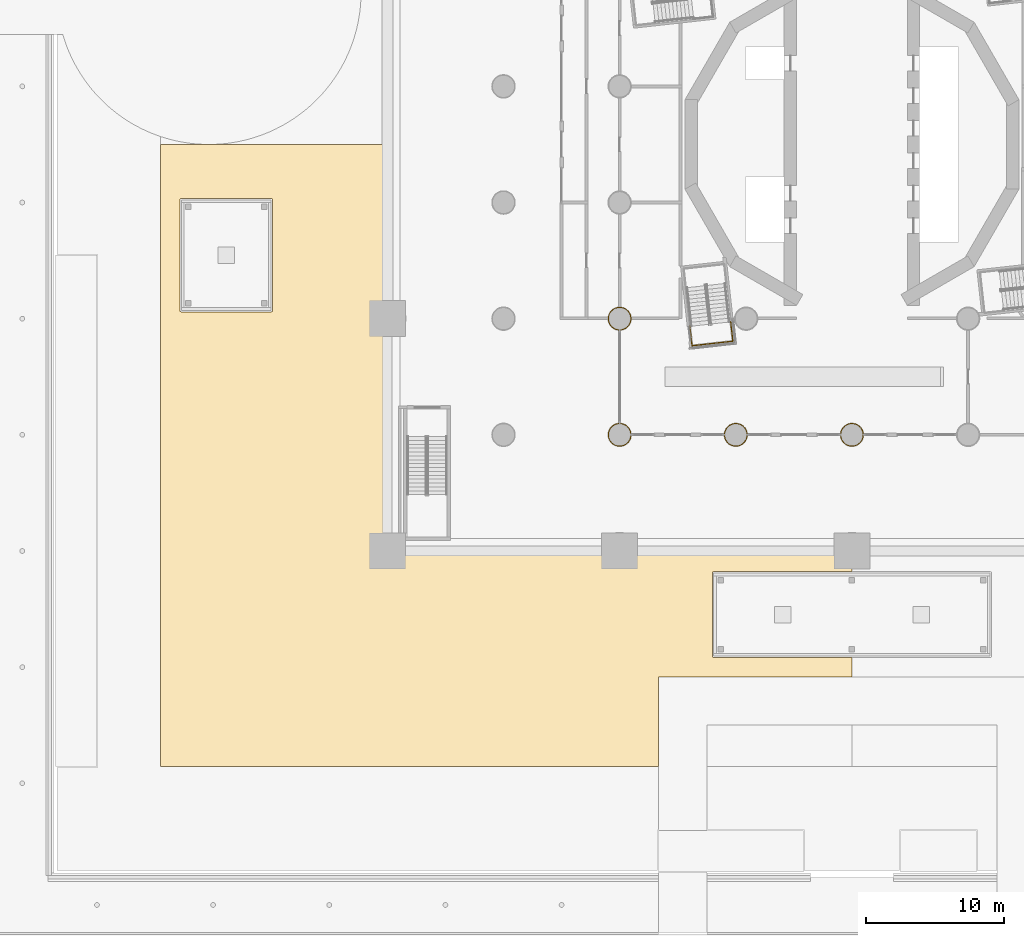
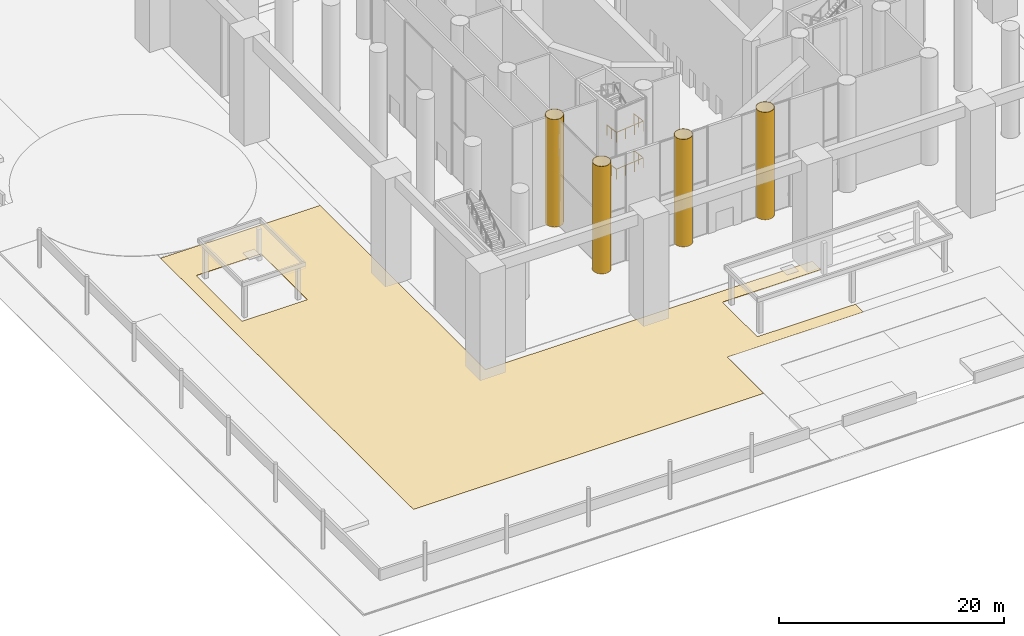
# One storey, part 28 of 52: 5 coverings, 2 railings.
"""IFC4 building model written with IfcOpenShell, lengths in metres."""

from ifc_helpers import new_model, si_unit, direction, frame, origin, origin_2d, place, context, subcontext, project, spatial, polyline, circle, outline, extrude, material, layer, layer_set, type_object, element, save


model = new_model("IFC4")

# Units and contexts
model_context = context("Model", 3, precision=1e-05, world=origin(), true_north=direction((0.0, 1.0)))
body_context = subcontext(model_context, "Body", "Model", "MODEL_VIEW")
ifc_project = project(units=[si_unit("LENGTHUNIT", "METRE"), si_unit("AREAUNIT", "SQUARE_METRE"), si_unit("VOLUMEUNIT", "CUBIC_METRE"), si_unit("PLANEANGLEUNIT", "RADIAN"), si_unit("MASSUNIT", "GRAM", prefix="KILO")], contexts=[model_context])

# Site, building, storey
site_placement = place(None, origin())
site = spatial("IfcSite", under=ifc_project, at=site_placement, CompositionType="ELEMENT")
building_placement = place(site_placement, origin())
building = spatial("IfcBuilding", under=site, at=building_placement, Name="Cantera Rosa Tower", CompositionType="ELEMENT")
storey_placement = place(building_placement, origin())
storey = spatial("IfcBuildingStorey", under=building, at=storey_placement, Name="L00", CompositionType="ELEMENT", Elevation=0.0)

# Coverings
ifc_material_1 = material(Name="Plaster")
ifc_layer_1 = layer(ifc_material_1, 0.030029296875)
ifc_layer_set_1 = layer_set([ifc_layer_1], Name="Column casing 30")
covering_type_1 = type_object("IfcCoveringType", Name="Column casing 30", PredefinedType="CLADDING", material=ifc_layer_set_1)
covering_1_placement = place(storey_placement, origin())
element("IfcCovering", 1, at=covering_1_placement, inside=storey, type_object=covering_type_1, Name="Column casing L00-001", PredefinedType="CLADDING", context=body_context, shape_type="SweptSolid", body=[
    extrude(outline(polyline([(-15.97412109375, -21.081298828125), (-15.969970703125, -21.0), (-15.97412109375, -20.918701171875), (-15.98583984375, -20.838134765625), (-16.005615234375, -20.759033203125), (-16.033203125, -20.682373046875), (-16.068115234375, -20.608642578125), (-16.10986328125, -20.538818359375), (-16.158447265625, -20.473388671875), (-16.213134765625, -20.4130859375), (-16.2734375, -20.3583984375), (-16.3388671875, -20.309814453125), (-16.40869140625, -20.26806640625), (-16.482421875, -20.233154296875), (-16.55908203125, -20.205810546875), (-16.63818359375, -20.185791015625), (-16.718505859375, -20.174072265625), (-16.800048828125, -20.169921875), (-16.88134765625, -20.174072265625), (-16.9619140625, -20.185791015625), (-17.041015625, -20.205810546875), (-17.11767578125, -20.233154296875), (-17.19140625, -20.26806640625), (-17.260986328125, -20.309814453125), (-17.326416015625, -20.3583984375), (-17.386962890625, -20.4130859375), (-17.441650390625, -20.473388671875), (-17.489990234375, -20.538818359375), (-17.531982421875, -20.608642578125), (-17.56689453125, -20.682373046875), (-17.59423828125, -20.759033203125), (-17.614013671875, -20.838134765625), (-17.6259765625, -20.918701171875), (-17.6298828125, -21.0), (-17.6259765625, -21.081298828125), (-17.614013671875, -21.161865234375), (-17.59423828125, -21.240966796875), (-17.56689453125, -21.317626953125), (-17.531982421875, -21.391357421875), (-17.489990234375, -21.461181640625), (-17.441650390625, -21.526611328125), (-17.386962890625, -21.5869140625), (-17.326416015625, -21.6416015625), (-17.260986328125, -21.690185546875), (-17.19140625, -21.73193359375), (-17.11767578125, -21.766845703125), (-17.041015625, -21.794189453125), (-16.9619140625, -21.814208984375), (-16.88134765625, -21.825927734375), (-16.800048828125, -21.830078125), (-16.718505859375, -21.825927734375), (-16.63818359375, -21.814208984375), (-16.55908203125, -21.794189453125), (-16.482421875, -21.766845703125), (-16.40869140625, -21.73193359375), (-16.3388671875, -21.690185546875), (-16.2734375, -21.6416015625), (-16.213134765625, -21.5869140625), (-16.158447265625, -21.526611328125), (-16.10986328125, -21.461181640625), (-16.068115234375, -21.391357421875), (-16.033203125, -21.317626953125), (-16.005615234375, -21.240966796875), (-15.98583984375, -21.161865234375), (-15.97412109375, -21.081298828125)]), holes=[polyline([(-16.00390625, -20.921630859375), (-16.015380859375, -20.843994140625), (-16.034423828125, -20.767822265625), (-16.060791015625, -20.69384765625), (-16.094482421875, -20.622802734375), (-16.134765625, -20.555419921875), (-16.181640625, -20.492431640625), (-16.234375, -20.434326171875), (-16.29248046875, -20.381591796875), (-16.35546875, -20.334716796875), (-16.4228515625, -20.29443359375), (-16.493896484375, -20.260986328125), (-16.56787109375, -20.234375), (-16.643798828125, -20.21533203125), (-16.7216796875, -20.203857421875), (-16.800048828125, -20.199951171875), (-16.87841796875, -20.203857421875), (-16.9560546875, -20.21533203125), (-17.0322265625, -20.234375), (-17.106201171875, -20.260986328125), (-17.177001953125, -20.29443359375), (-17.244384765625, -20.334716796875), (-17.3076171875, -20.381591796875), (-17.36572265625, -20.434326171875), (-17.41845703125, -20.492431640625), (-17.465087890625, -20.555419921875), (-17.505615234375, -20.622802734375), (-17.5390625, -20.69384765625), (-17.565673828125, -20.767822265625), (-17.584716796875, -20.843994140625), (-17.59619140625, -20.921630859375), (-17.60009765625, -21.0), (-17.59619140625, -21.078369140625), (-17.584716796875, -21.156005859375), (-17.565673828125, -21.232177734375), (-17.5390625, -21.30615234375), (-17.505615234375, -21.377197265625), (-17.465087890625, -21.444580078125), (-17.41845703125, -21.507568359375), (-17.36572265625, -21.565673828125), (-17.3076171875, -21.618408203125), (-17.244384765625, -21.665283203125), (-17.177001953125, -21.70556640625), (-17.106201171875, -21.739013671875), (-17.0322265625, -21.765625), (-16.9560546875, -21.78466796875), (-16.87841796875, -21.796142578125), (-16.800048828125, -21.800048828125), (-16.7216796875, -21.796142578125), (-16.643798828125, -21.78466796875), (-16.56787109375, -21.765625), (-16.493896484375, -21.739013671875), (-16.4228515625, -21.70556640625), (-16.35546875, -21.665283203125), (-16.29248046875, -21.618408203125), (-16.234375, -21.565673828125), (-16.181640625, -21.507568359375), (-16.134765625, -21.444580078125), (-16.094482421875, -21.377197265625), (-16.060791015625, -21.30615234375), (-16.034423828125, -21.232177734375), (-16.015380859375, -21.156005859375), (-16.00390625, -21.078369140625), (-16.0, -21.0), (-16.00390625, -20.921630859375)])]), origin(), (0.0, 0.0, 1.0), 11.699951171875),
])
covering_2_placement = place(storey_placement, origin())
element("IfcCovering", 2, at=covering_2_placement, inside=storey, type_object=covering_type_1, Name="Column casing L00-002", PredefinedType="CLADDING", context=body_context, shape_type="SweptSolid", body=[
    extrude(outline(polyline([(-15.97412109375, -12.681396484375), (-15.969970703125, -12.60009765625), (-15.97412109375, -12.5185546875), (-15.98583984375, -12.43798828125), (-16.005615234375, -12.359130859375), (-16.033203125, -12.282470703125), (-16.068115234375, -12.208740234375), (-16.10986328125, -12.138916015625), (-16.158447265625, -12.073486328125), (-16.213134765625, -12.01318359375), (-16.2734375, -11.95849609375), (-16.3388671875, -11.909912109375), (-16.40869140625, -11.867919921875), (-16.482421875, -11.833251953125), (-16.55908203125, -11.8056640625), (-16.63818359375, -11.785888671875), (-16.718505859375, -11.77392578125), (-16.800048828125, -11.77001953125), (-16.88134765625, -11.77392578125), (-16.9619140625, -11.785888671875), (-17.041015625, -11.8056640625), (-17.11767578125, -11.833251953125), (-17.19140625, -11.867919921875), (-17.260986328125, -11.909912109375), (-17.326416015625, -11.95849609375), (-17.386962890625, -12.01318359375), (-17.441650390625, -12.073486328125), (-17.489990234375, -12.138916015625), (-17.531982421875, -12.208740234375), (-17.56689453125, -12.282470703125), (-17.59423828125, -12.359130859375), (-17.614013671875, -12.43798828125), (-17.6259765625, -12.5185546875), (-17.6298828125, -12.60009765625), (-17.6259765625, -12.681396484375), (-17.614013671875, -12.761962890625), (-17.59423828125, -12.8408203125), (-17.56689453125, -12.91748046875), (-17.531982421875, -12.9912109375), (-17.489990234375, -13.06103515625), (-17.441650390625, -13.12646484375), (-17.386962890625, -13.18701171875), (-17.326416015625, -13.24169921875), (-17.260986328125, -13.2900390625), (-17.19140625, -13.33203125), (-17.11767578125, -13.36669921875), (-17.041015625, -13.394287109375), (-16.9619140625, -13.4140625), (-16.88134765625, -13.426025390625), (-16.800048828125, -13.429931640625), (-16.718505859375, -13.426025390625), (-16.63818359375, -13.4140625), (-16.55908203125, -13.394287109375), (-16.482421875, -13.36669921875), (-16.40869140625, -13.33203125), (-16.3388671875, -13.2900390625), (-16.2734375, -13.24169921875), (-16.213134765625, -13.18701171875), (-16.158447265625, -13.12646484375), (-16.10986328125, -13.06103515625), (-16.068115234375, -12.9912109375), (-16.033203125, -12.91748046875), (-16.005615234375, -12.8408203125), (-15.98583984375, -12.761962890625), (-15.97412109375, -12.681396484375)]), holes=[polyline([(-16.00390625, -12.521484375), (-16.015380859375, -12.44384765625), (-16.034423828125, -12.367919921875), (-16.060791015625, -12.2939453125), (-16.094482421875, -12.222900390625), (-16.134765625, -12.155517578125), (-16.181640625, -12.092529296875), (-16.234375, -12.0341796875), (-16.29248046875, -11.981689453125), (-16.35546875, -11.934814453125), (-16.4228515625, -11.89453125), (-16.493896484375, -11.86083984375), (-16.56787109375, -11.83447265625), (-16.643798828125, -11.8154296875), (-16.7216796875, -11.803955078125), (-16.800048828125, -11.800048828125), (-16.87841796875, -11.803955078125), (-16.9560546875, -11.8154296875), (-17.0322265625, -11.83447265625), (-17.106201171875, -11.86083984375), (-17.177001953125, -11.89453125), (-17.244384765625, -11.934814453125), (-17.3076171875, -11.981689453125), (-17.36572265625, -12.0341796875), (-17.41845703125, -12.092529296875), (-17.465087890625, -12.155517578125), (-17.505615234375, -12.222900390625), (-17.5390625, -12.2939453125), (-17.565673828125, -12.367919921875), (-17.584716796875, -12.44384765625), (-17.59619140625, -12.521484375), (-17.60009765625, -12.60009765625), (-17.59619140625, -12.678466796875), (-17.584716796875, -12.756103515625), (-17.565673828125, -12.832275390625), (-17.5390625, -12.906005859375), (-17.505615234375, -12.97705078125), (-17.465087890625, -13.04443359375), (-17.41845703125, -13.107421875), (-17.36572265625, -13.165771484375), (-17.3076171875, -13.218505859375), (-17.244384765625, -13.26513671875), (-17.177001953125, -13.305419921875), (-17.106201171875, -13.339111328125), (-17.0322265625, -13.365478515625), (-16.9560546875, -13.384521484375), (-16.87841796875, -13.39599609375), (-16.800048828125, -13.39990234375), (-16.7216796875, -13.39599609375), (-16.643798828125, -13.384521484375), (-16.56787109375, -13.365478515625), (-16.493896484375, -13.339111328125), (-16.4228515625, -13.305419921875), (-16.35546875, -13.26513671875), (-16.29248046875, -13.218505859375), (-16.234375, -13.165771484375), (-16.181640625, -13.107421875), (-16.134765625, -13.04443359375), (-16.094482421875, -12.97705078125), (-16.060791015625, -12.906005859375), (-16.034423828125, -12.832275390625), (-16.015380859375, -12.756103515625), (-16.00390625, -12.678466796875), (-16.0, -12.60009765625), (-16.00390625, -12.521484375)])]), origin(), (0.0, 0.0, 1.0), 11.699951171875),
])
covering_3_placement = place(storey_placement, origin())
element("IfcCovering", 3, at=covering_3_placement, inside=storey, type_object=covering_type_1, Name="Column casing L00-007", PredefinedType="CLADDING", context=body_context, shape_type="SweptSolid", body=[
    extrude(outline(polyline([(-7.573974609375, -21.081298828125), (-7.570068359375, -21.0), (-7.573974609375, -20.918701171875), (-7.5859375, -20.838134765625), (-7.605712890625, -20.759033203125), (-7.63330078125, -20.682373046875), (-7.66796875, -20.608642578125), (-7.7099609375, -20.538818359375), (-7.75830078125, -20.473388671875), (-7.81298828125, -20.4130859375), (-7.87353515625, -20.3583984375), (-7.93896484375, -20.309814453125), (-8.0087890625, -20.26806640625), (-8.08251953125, -20.233154296875), (-8.1591796875, -20.205810546875), (-8.238037109375, -20.185791015625), (-8.318603515625, -20.174072265625), (-8.39990234375, -20.169921875), (-8.4814453125, -20.174072265625), (-8.56201171875, -20.185791015625), (-8.640869140625, -20.205810546875), (-8.717529296875, -20.233154296875), (-8.791259765625, -20.26806640625), (-8.861083984375, -20.309814453125), (-8.926513671875, -20.3583984375), (-8.98681640625, -20.4130859375), (-9.04150390625, -20.473388671875), (-9.090087890625, -20.538818359375), (-9.132080078125, -20.608642578125), (-9.166748046875, -20.682373046875), (-9.1943359375, -20.759033203125), (-9.214111328125, -20.838134765625), (-9.22607421875, -20.918701171875), (-9.22998046875, -21.0), (-9.22607421875, -21.081298828125), (-9.214111328125, -21.161865234375), (-9.1943359375, -21.240966796875), (-9.166748046875, -21.317626953125), (-9.132080078125, -21.391357421875), (-9.090087890625, -21.461181640625), (-9.04150390625, -21.526611328125), (-8.98681640625, -21.5869140625), (-8.926513671875, -21.6416015625), (-8.861083984375, -21.690185546875), (-8.791259765625, -21.73193359375), (-8.717529296875, -21.766845703125), (-8.640869140625, -21.794189453125), (-8.56201171875, -21.814208984375), (-8.4814453125, -21.825927734375), (-8.39990234375, -21.830078125), (-8.318603515625, -21.825927734375), (-8.238037109375, -21.814208984375), (-8.1591796875, -21.794189453125), (-8.08251953125, -21.766845703125), (-8.0087890625, -21.73193359375), (-7.93896484375, -21.690185546875), (-7.87353515625, -21.6416015625), (-7.81298828125, -21.5869140625), (-7.75830078125, -21.526611328125), (-7.7099609375, -21.461181640625), (-7.66796875, -21.391357421875), (-7.63330078125, -21.317626953125), (-7.605712890625, -21.240966796875), (-7.5859375, -21.161865234375), (-7.573974609375, -21.081298828125)]), holes=[polyline([(-7.60400390625, -20.921630859375), (-7.615478515625, -20.843994140625), (-7.634521484375, -20.767822265625), (-7.660888671875, -20.69384765625), (-7.694580078125, -20.622802734375), (-7.73486328125, -20.555419921875), (-7.781494140625, -20.492431640625), (-7.834228515625, -20.434326171875), (-7.892578125, -20.381591796875), (-7.95556640625, -20.334716796875), (-8.02294921875, -20.29443359375), (-8.093994140625, -20.260986328125), (-8.167724609375, -20.234375), (-8.243896484375, -20.21533203125), (-8.321533203125, -20.203857421875), (-8.39990234375, -20.199951171875), (-8.478515625, -20.203857421875), (-8.55615234375, -20.21533203125), (-8.632080078125, -20.234375), (-8.7060546875, -20.260986328125), (-8.777099609375, -20.29443359375), (-8.844482421875, -20.334716796875), (-8.907470703125, -20.381591796875), (-8.9658203125, -20.434326171875), (-9.018310546875, -20.492431640625), (-9.065185546875, -20.555419921875), (-9.10546875, -20.622802734375), (-9.13916015625, -20.69384765625), (-9.16552734375, -20.767822265625), (-9.1845703125, -20.843994140625), (-9.196044921875, -20.921630859375), (-9.199951171875, -21.0), (-9.196044921875, -21.078369140625), (-9.1845703125, -21.156005859375), (-9.16552734375, -21.232177734375), (-9.13916015625, -21.30615234375), (-9.10546875, -21.377197265625), (-9.065185546875, -21.444580078125), (-9.018310546875, -21.507568359375), (-8.9658203125, -21.565673828125), (-8.907470703125, -21.618408203125), (-8.844482421875, -21.665283203125), (-8.777099609375, -21.70556640625), (-8.7060546875, -21.739013671875), (-8.632080078125, -21.765625), (-8.55615234375, -21.78466796875), (-8.478515625, -21.796142578125), (-8.39990234375, -21.800048828125), (-8.321533203125, -21.796142578125), (-8.243896484375, -21.78466796875), (-8.167724609375, -21.765625), (-8.093994140625, -21.739013671875), (-8.02294921875, -21.70556640625), (-7.95556640625, -21.665283203125), (-7.892578125, -21.618408203125), (-7.834228515625, -21.565673828125), (-7.781494140625, -21.507568359375), (-7.73486328125, -21.444580078125), (-7.694580078125, -21.377197265625), (-7.660888671875, -21.30615234375), (-7.634521484375, -21.232177734375), (-7.615478515625, -21.156005859375), (-7.60400390625, -21.078369140625), (-7.60009765625, -21.0), (-7.60400390625, -20.921630859375)])]), origin(), (0.0, 0.0, 1.0), 11.699951171875),
])
covering_4_placement = place(storey_placement, origin())
element("IfcCovering", 4, at=covering_4_placement, inside=storey, type_object=covering_type_1, Name="Column casing L00-011", PredefinedType="CLADDING", context=body_context, shape_type="SweptSolid", body=[
    extrude(outline(polyline([(0.825927734375, -21.081298828125), (0.830078125, -21.0), (0.825927734375, -20.918701171875), (0.814208984375, -20.838134765625), (0.794189453125, -20.759033203125), (0.766845703125, -20.682373046875), (0.73193359375, -20.608642578125), (0.690185546875, -20.538818359375), (0.6416015625, -20.473388671875), (0.5869140625, -20.4130859375), (0.526611328125, -20.3583984375), (0.461181640625, -20.309814453125), (0.391357421875, -20.26806640625), (0.317626953125, -20.233154296875), (0.240966796875, -20.205810546875), (0.161865234375, -20.185791015625), (0.081298828125, -20.174072265625), (0.0, -20.169921875), (-0.081298828125, -20.174072265625), (-0.161865234375, -20.185791015625), (-0.240966796875, -20.205810546875), (-0.317626953125, -20.233154296875), (-0.391357421875, -20.26806640625), (-0.461181640625, -20.309814453125), (-0.526611328125, -20.3583984375), (-0.5869140625, -20.4130859375), (-0.6416015625, -20.473388671875), (-0.690185546875, -20.538818359375), (-0.73193359375, -20.608642578125), (-0.766845703125, -20.682373046875), (-0.794189453125, -20.759033203125), (-0.814208984375, -20.838134765625), (-0.825927734375, -20.918701171875), (-0.830078125, -21.0), (-0.825927734375, -21.081298828125), (-0.814208984375, -21.161865234375), (-0.794189453125, -21.240966796875), (-0.766845703125, -21.317626953125), (-0.73193359375, -21.391357421875), (-0.690185546875, -21.461181640625), (-0.6416015625, -21.526611328125), (-0.5869140625, -21.5869140625), (-0.526611328125, -21.6416015625), (-0.461181640625, -21.690185546875), (-0.391357421875, -21.73193359375), (-0.317626953125, -21.766845703125), (-0.240966796875, -21.794189453125), (-0.161865234375, -21.814208984375), (-0.081298828125, -21.825927734375), (0.0, -21.830078125), (0.081298828125, -21.825927734375), (0.161865234375, -21.814208984375), (0.240966796875, -21.794189453125), (0.317626953125, -21.766845703125), (0.391357421875, -21.73193359375), (0.461181640625, -21.690185546875), (0.526611328125, -21.6416015625), (0.5869140625, -21.5869140625), (0.6416015625, -21.526611328125), (0.690185546875, -21.461181640625), (0.73193359375, -21.391357421875), (0.766845703125, -21.317626953125), (0.794189453125, -21.240966796875), (0.814208984375, -21.161865234375), (0.825927734375, -21.081298828125)]), holes=[polyline([(0.796142578125, -20.921630859375), (0.78466796875, -20.843994140625), (0.765625, -20.767822265625), (0.739013671875, -20.69384765625), (0.70556640625, -20.622802734375), (0.665283203125, -20.555419921875), (0.618408203125, -20.492431640625), (0.565673828125, -20.434326171875), (0.507568359375, -20.381591796875), (0.444580078125, -20.334716796875), (0.377197265625, -20.29443359375), (0.30615234375, -20.260986328125), (0.232177734375, -20.234375), (0.156005859375, -20.21533203125), (0.078369140625, -20.203857421875), (0.0, -20.199951171875), (-0.078369140625, -20.203857421875), (-0.156005859375, -20.21533203125), (-0.232177734375, -20.234375), (-0.30615234375, -20.260986328125), (-0.377197265625, -20.29443359375), (-0.444580078125, -20.334716796875), (-0.507568359375, -20.381591796875), (-0.565673828125, -20.434326171875), (-0.618408203125, -20.492431640625), (-0.665283203125, -20.555419921875), (-0.70556640625, -20.622802734375), (-0.739013671875, -20.69384765625), (-0.765625, -20.767822265625), (-0.78466796875, -20.843994140625), (-0.796142578125, -20.921630859375), (-0.800048828125, -21.0), (-0.796142578125, -21.078369140625), (-0.78466796875, -21.156005859375), (-0.765625, -21.232177734375), (-0.739013671875, -21.30615234375), (-0.70556640625, -21.377197265625), (-0.665283203125, -21.444580078125), (-0.618408203125, -21.507568359375), (-0.565673828125, -21.565673828125), (-0.507568359375, -21.618408203125), (-0.444580078125, -21.665283203125), (-0.377197265625, -21.70556640625), (-0.30615234375, -21.739013671875), (-0.232177734375, -21.765625), (-0.156005859375, -21.78466796875), (-0.078369140625, -21.796142578125), (0.0, -21.800048828125), (0.078369140625, -21.796142578125), (0.156005859375, -21.78466796875), (0.232177734375, -21.765625), (0.30615234375, -21.739013671875), (0.377197265625, -21.70556640625), (0.444580078125, -21.665283203125), (0.507568359375, -21.618408203125), (0.565673828125, -21.565673828125), (0.618408203125, -21.507568359375), (0.665283203125, -21.444580078125), (0.70556640625, -21.377197265625), (0.739013671875, -21.30615234375), (0.765625, -21.232177734375), (0.78466796875, -21.156005859375), (0.796142578125, -21.078369140625), (0.800048828125, -21.0), (0.796142578125, -20.921630859375)])]), origin(), (0.0, 0.0, 1.0), 11.699951171875),
])
ifc_material_2 = material(Name="Stone paving", Category="masonry")
ifc_layer_2 = layer(ifc_material_2, 0.0400390625)
ifc_layer_set_2 = layer_set([ifc_layer_2], Name="Plaza paving 40")
covering_type_2 = type_object("IfcCoveringType", Name="Plaza paving 40", PredefinedType="USERDEFINED", material=ifc_layer_set_2)
covering_5_placement = place(storey_placement, origin())
element("IfcCovering", 5, at=covering_5_placement, inside=storey, type_object=covering_type_2, Name="Plaza paving SW", ObjectType="PAVING", PredefinedType="USERDEFINED", context=body_context, shape_type="SweptSolid", body=[
    extrude(outline(polyline([(-10.5, -38.5), (0.0, -38.5), (0.0, -37.10009765625), (-10.0, -37.10009765625), (-10.009765625, -37.099609375), (-10.01953125, -37.09814453125), (-10.029052734375, -37.095703125), (-10.038330078125, -37.09228515625), (-10.047119140625, -37.088134765625), (-10.0556640625, -37.0830078125), (-10.0634765625, -37.077392578125), (-10.07080078125, -37.07080078125), (-10.077392578125, -37.0634765625), (-10.0830078125, -37.0556640625), (-10.088134765625, -37.047119140625), (-10.09228515625, -37.038330078125), (-10.095703125, -37.029052734375), (-10.09814453125, -37.01953125), (-10.099609375, -37.009765625), (-10.10009765625, -37.0), (-10.10009765625, -31.0), (-10.099609375, -30.990234375), (-10.09814453125, -30.98046875), (-10.095703125, -30.970947265625), (-10.09228515625, -30.961669921875), (-10.088134765625, -30.952880859375), (-10.0830078125, -30.9443359375), (-10.077392578125, -30.9365234375), (-10.07080078125, -30.92919921875), (-10.0634765625, -30.922607421875), (-10.0556640625, -30.9169921875), (-10.047119140625, -30.911865234375), (-10.038330078125, -30.90771484375), (-10.029052734375, -30.904296875), (-10.01953125, -30.90185546875), (-10.009765625, -30.900390625), (-10.0, -30.89990234375), (0.0, -30.89990234375), (0.0, -29.39990234375), (-33.60009765625, -29.39990234375), (-33.60009765625, 0.0), (-46.5, 0.0), (-50.0, 0.0), (-50.0, -45.0), (-14.0, -45.0), (-14.0, -42.0), (-14.0, -38.5), (-10.5, -38.5)]), holes=[polyline([(-48.5, -12.10009765625), (-42.0, -12.10009765625), (-41.990234375, -12.099609375), (-41.98046875, -12.09814453125), (-41.970947265625, -12.095703125), (-41.961669921875, -12.09228515625), (-41.952880859375, -12.088134765625), (-41.9443359375, -12.0830078125), (-41.9365234375, -12.077392578125), (-41.92919921875, -12.07080078125), (-41.922607421875, -12.0634765625), (-41.9169921875, -12.0556640625), (-41.911865234375, -12.047119140625), (-41.90771484375, -12.038330078125), (-41.904296875, -12.029052734375), (-41.90185546875, -12.01953125), (-41.900390625, -12.009765625), (-41.89990234375, -12.0), (-41.89990234375, -4.0), (-41.900390625, -3.990234375), (-41.90185546875, -3.98046875), (-41.904296875, -3.970947265625), (-41.90771484375, -3.961669921875), (-41.911865234375, -3.952880859375), (-41.9169921875, -3.9443359375), (-41.922607421875, -3.9365234375), (-41.92919921875, -3.92919921875), (-41.9365234375, -3.922607421875), (-41.9443359375, -3.9169921875), (-41.952880859375, -3.911865234375), (-41.961669921875, -3.90771484375), (-41.970947265625, -3.904296875), (-41.98046875, -3.90185546875), (-41.990234375, -3.900390625), (-42.0, -3.89990234375), (-48.5, -3.89990234375), (-48.509765625, -3.900390625), (-48.51953125, -3.90185546875), (-48.529052734375, -3.904296875), (-48.538330078125, -3.90771484375), (-48.547119140625, -3.911865234375), (-48.5556640625, -3.9169921875), (-48.5634765625, -3.922607421875), (-48.57080078125, -3.92919921875), (-48.577392578125, -3.9365234375), (-48.5830078125, -3.9443359375), (-48.588134765625, -3.952880859375), (-48.59228515625, -3.961669921875), (-48.595703125, -3.970947265625), (-48.59814453125, -3.98046875), (-48.599609375, -3.990234375), (-48.60009765625, -4.0), (-48.60009765625, -12.0), (-48.599609375, -12.009765625), (-48.59814453125, -12.01953125), (-48.595703125, -12.029052734375), (-48.59228515625, -12.038330078125), (-48.588134765625, -12.047119140625), (-48.5830078125, -12.0556640625), (-48.577392578125, -12.0634765625), (-48.57080078125, -12.07080078125), (-48.5634765625, -12.077392578125), (-48.5556640625, -12.0830078125), (-48.547119140625, -12.088134765625), (-48.538330078125, -12.09228515625), (-48.529052734375, -12.095703125), (-48.51953125, -12.09814453125), (-48.509765625, -12.099609375), (-48.5, -12.10009765625)])]), origin(), (0.0, 0.0, 1.0), 0.0400390625),
])

# Railings
ifc_material_3 = material(Name="Steel S355J2 (EN 10025-2)", Category="steel")
railing_type = type_object("IfcRailingType", Name="STAIR GUARD 1100", PredefinedType="GUARDRAIL", material=ifc_material_3)
for number, where, name in (
    (6, (-8.77099609375, -12.815673828125, 4.0), "L00 ST-13 stair guard 10"),
    (7, (-8.77099609375, -12.815673828125, 8.0), "L00 ST-13 stair guard 12"),
):
    element("IfcRailing", number, at=place(storey_placement, frame(where)), inside=storey, type_object=railing_type, Name=name, PredefinedType="GUARDRAIL", context=body_context, shape_type="SweptSolid", body=[
        extrude(circle(Radius=0.02392578125, at=origin_2d()), frame((0.0, 0.0, 1.076171875), z_axis=(0.110393838913, -0.993887921413, 0.0), x_axis=(0.993887921413, 0.110393838913, 0.0)), (0.0, 0.0, 1.0), 1.422119140625),
        extrude(circle(Radius=0.02392578125, at=origin_2d()), frame((0.156982421875, -1.413330078125, 1.076171875), z_axis=(-0.993896759678, -0.110314237986, 0.0), x_axis=(0.110314237986, -0.993896759678, 0.0)), (0.0, 0.0, 1.0), 2.969970703125),
        extrude(circle(Radius=0.02392578125, at=origin_2d()), frame((-2.794921875, -1.740966796875, 1.076171875), z_axis=(-0.110393838913, 0.993887921413, 0.0), x_axis=(-0.993887921413, -0.110393838913, 0.0)), (0.0, 0.0, 1.0), 1.422119140625),
        extrude(circle(Radius=0.02099609375, at=origin_2d()), origin(), (0.0, 0.0, 1.0), 1.052001953125),
        extrude(circle(Radius=0.02099609375, at=origin_2d()), frame((0.07861328125, -0.70654296875, 0.0)), (0.0, 0.0, 1.0), 1.052001953125),
        extrude(circle(Radius=0.02099609375, at=origin_2d()), frame((0.156982421875, -1.413330078125, 0.0)), (0.0, 0.0, 1.0), 1.052001953125),
        extrude(circle(Radius=0.02099609375, at=origin_2d()), frame((-0.826904296875, -1.5224609375, 0.0)), (0.0, 0.0, 1.0), 1.052001953125),
        extrude(circle(Radius=0.02099609375, at=origin_2d()), frame((-1.81103515625, -1.6318359375, 0.0)), (0.0, 0.0, 1.0), 1.052001953125),
        extrude(circle(Radius=0.02099609375, at=origin_2d()), frame((-2.794921875, -1.740966796875, 0.0)), (0.0, 0.0, 1.0), 1.052001953125),
        extrude(circle(Radius=0.02099609375, at=origin_2d()), frame((-2.87353515625, -1.0341796875, 0.0)), (0.0, 0.0, 1.0), 1.052001953125),
        extrude(circle(Radius=0.02099609375, at=origin_2d()), frame((-2.951904296875, -0.32763671875, 0.0)), (0.0, 0.0, 1.0), 1.052001953125),
    ])

save(model, "model.ifc")
